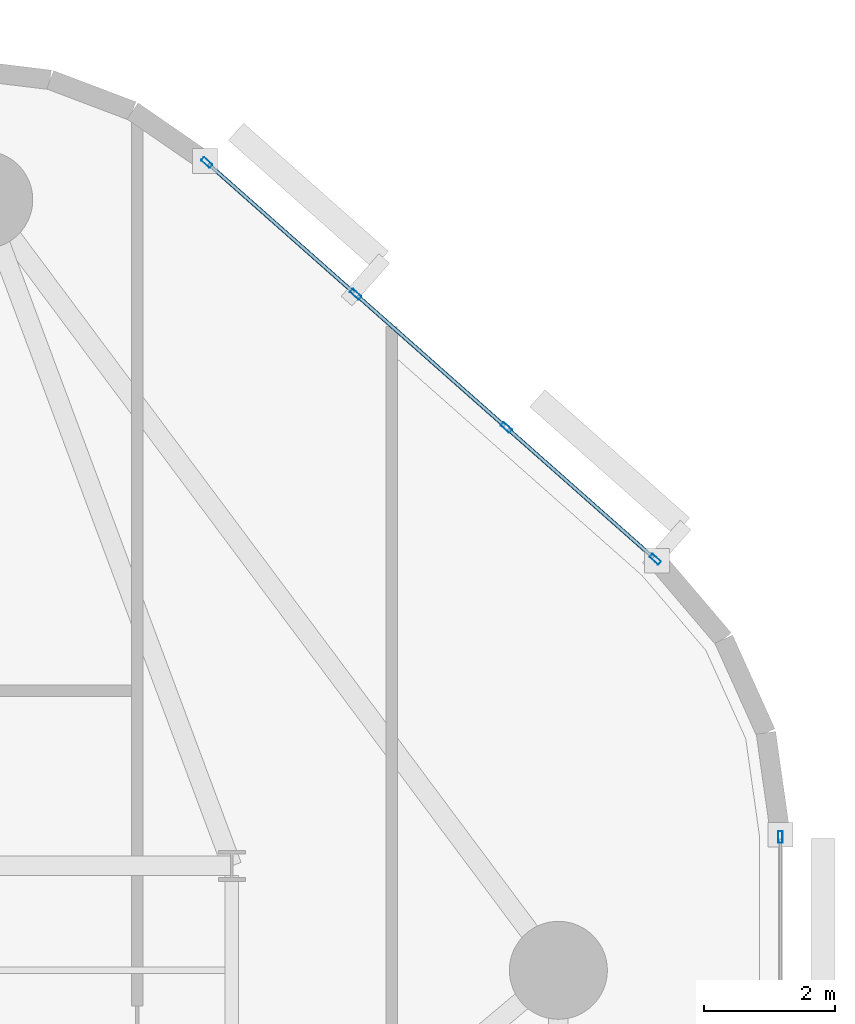
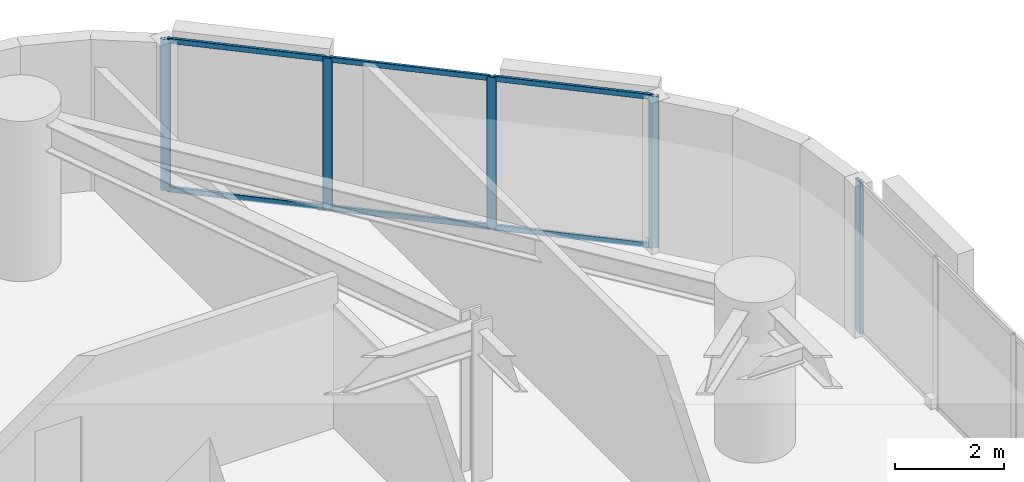
# One storey, part 8 of 15: 11 members, 2 elements without a shape of their own.
"""IFC4 building model written with IfcOpenShell, lengths in metres."""

from ifc_helpers import new_model, si_unit, direction, frame, origin, origin_2d, place, context, subcontext, project, spatial, hollow_rectangle, extrude, material, layer, layer_set, material_profile, profile_set, type_object, element, aggregate, save


model = new_model("IFC4")

# Units and contexts
model_context = context("Model", 3, precision=1e-05, world=origin(), true_north=direction((0.0, 1.0)))
body_context = subcontext(model_context, "Body", "Model", "MODEL_VIEW")
ifc_project = project(units=[si_unit("LENGTHUNIT", "METRE"), si_unit("AREAUNIT", "SQUARE_METRE"), si_unit("VOLUMEUNIT", "CUBIC_METRE"), si_unit("PLANEANGLEUNIT", "RADIAN"), si_unit("MASSUNIT", "GRAM", prefix="KILO")], contexts=[model_context])

# Site, building, storey
site_placement = place(None, origin())
site = spatial("IfcSite", under=ifc_project, at=site_placement, CompositionType="ELEMENT")
building_placement = place(site_placement, origin())
building = spatial("IfcBuilding", under=site, at=building_placement, Name="An Khanh Terracotta Commons", CompositionType="ELEMENT")
storey_placement = place(building_placement, frame((0.0, 0.0, 64.800048828125)))
storey = spatial("IfcBuildingStorey", under=building, at=storey_placement, Name="L17", CompositionType="ELEMENT", Elevation=64.800048828125)

# Curtain wall, member
ifc_material = material(Name="Anodised Aluminium 6063-T6", Category="aluminium")
ifc_layer = layer(ifc_material, 0.199951171875, Name="Anodised Aluminium 6063-T6")
ifc_layer_set = layer_set([ifc_layer], Name="Anodised Aluminium 6063-T6")
curtain_wall_type = type_object("IfcCurtainWallType", Name="CW-SYS-02", PredefinedType="USERDEFINED", material=ifc_layer_set)
curtain_wall_1_placement = place(storey_placement, origin())
curtain_wall_1 = element("IfcCurtainWall", 1, at=curtain_wall_1_placement, inside=storey, type_object=curtain_wall_type, Name="L17 CW-02 Unitised Curtain Wall CW-L17-12", ObjectType="UNITISED CURTAIN WALL", PredefinedType="USERDEFINED")
ifc_material_profile_1 = material_profile(ifc_material, hollow_rectangle(XDim=0.070068359375, YDim=0.179931640625, WallThickness=0.00390625, InnerFilletRadius=0.00390625, OuterFilletRadius=0.008056640625, at=origin_2d()), Name="RHS180x70x4")
ifc_profile_set_1 = profile_set([ifc_material_profile_1], Name="Anodised Aluminium 6063-T6")
member_type_1 = type_object("IfcMemberType", Name="CWM-RHS180x70x4", PredefinedType="MULLION", material=ifc_profile_set_1)
member_1_placement = place(storey_placement, frame((51.60009765625, 34.0419921875, 0.0), z_axis=(0.0, 0.0, 1.0), x_axis=(-1.0, 0.0, 0.0)))
member_1 = element("IfcMember", 2, at=member_1_placement, type_object=member_type_1, Name="CW-02 mullion 8", PredefinedType="MULLION", context=body_context, shape_type="SweptSolid", body=[
    extrude(hollow_rectangle(XDim=0.070068359375, YDim=0.179931640625, WallThickness=0.00390625, InnerFilletRadius=0.00390625, OuterFilletRadius=0.008056640625, at=origin_2d()), origin(), (0.0, 0.0, 1.0), 3.39990234375),
])
aggregate(curtain_wall_1, [member_1])

# Curtain wall, members
curtain_wall_2_placement = place(storey_placement, origin())
curtain_wall_2 = element("IfcCurtainWall", 3, at=curtain_wall_2_placement, inside=storey, type_object=curtain_wall_type, Name="L17 CW-02 Unitised Curtain Wall CW-L17-16", ObjectType="UNITISED CURTAIN WALL", PredefinedType="USERDEFINED")
member_2_placement = place(storey_placement, frame((49.683837890625, 38.295166015625, 0.0), z_axis=(0.0, 0.0, 1.0), x_axis=(-0.662548195415, -0.749019284633, 0.0)))
member_2 = element("IfcMember", 4, at=member_2_placement, type_object=member_type_1, Name="CW-02 mullion 1", PredefinedType="MULLION", context=body_context, shape_type="SweptSolid", body=[
    extrude(hollow_rectangle(XDim=0.070068359375, YDim=0.179931640625, WallThickness=0.00390625, InnerFilletRadius=0.00390625, OuterFilletRadius=0.008056640625, at=origin_2d()), origin(), (0.0, 0.0, 1.0), 3.39990234375),
])
member_3_placement = place(storey_placement, frame((47.403076171875, 40.312744140625, 0.0), z_axis=(0.0, 0.0, 1.0), x_axis=(-0.662548195415, -0.749019284633, 0.0)))
member_3 = element("IfcMember", 5, at=member_3_placement, type_object=member_type_1, Name="CW-02 mullion 2", PredefinedType="MULLION", context=body_context, shape_type="SweptSolid", body=[
    extrude(hollow_rectangle(XDim=0.070068359375, YDim=0.179931640625, WallThickness=0.00390625, InnerFilletRadius=0.00390625, OuterFilletRadius=0.008056640625, at=origin_2d()), origin(), (0.0, 0.0, 1.0), 3.39990234375),
])
member_4_placement = place(storey_placement, frame((45.095947265625, 42.353271484375, 0.0), z_axis=(0.0, 0.0, 1.0), x_axis=(-0.662548195415, -0.749019284633, 0.0)))
member_4 = element("IfcMember", 6, at=member_4_placement, type_object=member_type_1, Name="CW-02 mullion 3", PredefinedType="MULLION", context=body_context, shape_type="SweptSolid", body=[
    extrude(hollow_rectangle(XDim=0.070068359375, YDim=0.179931640625, WallThickness=0.00390625, InnerFilletRadius=0.00390625, OuterFilletRadius=0.008056640625, at=origin_2d()), origin(), (0.0, 0.0, 1.0), 3.39990234375),
])
member_5_placement = place(storey_placement, frame((42.815185546875, 44.370849609375, 0.0), z_axis=(0.0, 0.0, 1.0), x_axis=(-0.662548195415, -0.749019284633, 0.0)))
member_5 = element("IfcMember", 7, at=member_5_placement, type_object=member_type_1, Name="CW-02 mullion 4", PredefinedType="MULLION", context=body_context, shape_type="SweptSolid", body=[
    extrude(hollow_rectangle(XDim=0.070068359375, YDim=0.179931640625, WallThickness=0.00390625, InnerFilletRadius=0.00390625, OuterFilletRadius=0.008056640625, at=origin_2d()), origin(), (0.0, 0.0, 1.0), 3.39990234375),
])
ifc_material_profile_2 = material_profile(ifc_material, hollow_rectangle(XDim=0.06005859375, YDim=0.1201171875, WallThickness=0.003662109375, InnerFilletRadius=0.003662109375, OuterFilletRadius=0.007080078125, at=origin_2d()), Name="RHS120x60x3.6")
ifc_profile_set_2 = profile_set([ifc_material_profile_2], Name="Anodised Aluminium 6063-T6")
member_type_2 = type_object("IfcMemberType", Name="CWT-RHS120x60x3.6", PredefinedType="USERDEFINED", material=ifc_profile_set_2)
member_6_placement = place(storey_placement, frame((49.657470703125, 38.318359375, 0.030029296875), z_axis=(-0.74899186341, 0.662579194168, 0.0), x_axis=(-0.662579194168, -0.74899186341, 0.0)))
member_6 = element("IfcMember", 8, at=member_6_placement, type_object=member_type_2, Name="CW-02 transom 1.1", ObjectType="TRANSOM", PredefinedType="USERDEFINED", context=body_context, shape_type="SweptSolid", body=[
    extrude(hollow_rectangle(XDim=0.06005859375, YDim=0.1201171875, WallThickness=0.003662109375, InnerFilletRadius=0.003662109375, OuterFilletRadius=0.007080078125, at=origin_2d()), origin(), (0.0, 0.0, 1.0), 2.97509765625),
])
member_7_placement = place(storey_placement, frame((49.657470703125, 38.318359375, 3.369873046875), z_axis=(-0.74899186341, 0.662579194168, 0.0), x_axis=(-0.662579194168, -0.74899186341, 0.0)))
member_7 = element("IfcMember", 9, at=member_7_placement, type_object=member_type_2, Name="CW-02 transom 1.2", ObjectType="TRANSOM", PredefinedType="USERDEFINED", context=body_context, shape_type="SweptSolid", body=[
    extrude(hollow_rectangle(XDim=0.06005859375, YDim=0.1201171875, WallThickness=0.003662109375, InnerFilletRadius=0.003662109375, OuterFilletRadius=0.007080078125, at=origin_2d()), origin(), (0.0, 0.0, 1.0), 2.97509765625),
])
member_8_placement = place(storey_placement, frame((47.376708984375, 40.3359375, 0.030029296875), z_axis=(-0.749018237701, 0.662549378984, 0.0), x_axis=(-0.662549378984, -0.749018237701, 0.0)))
member_8 = element("IfcMember", 10, at=member_8_placement, type_object=member_type_2, Name="CW-02 transom 2.1", ObjectType="TRANSOM", PredefinedType="USERDEFINED", context=body_context, shape_type="SweptSolid", body=[
    extrude(hollow_rectangle(XDim=0.06005859375, YDim=0.1201171875, WallThickness=0.003662109375, InnerFilletRadius=0.003662109375, OuterFilletRadius=0.007080078125, at=origin_2d()), origin(), (0.0, 0.0, 1.0), 3.009765625),
])
member_9_placement = place(storey_placement, frame((47.376708984375, 40.3359375, 3.369873046875), z_axis=(-0.749018237701, 0.662549378984, 0.0), x_axis=(-0.662549378984, -0.749018237701, 0.0)))
member_9 = element("IfcMember", 11, at=member_9_placement, type_object=member_type_2, Name="CW-02 transom 2.2", ObjectType="TRANSOM", PredefinedType="USERDEFINED", context=body_context, shape_type="SweptSolid", body=[
    extrude(hollow_rectangle(XDim=0.06005859375, YDim=0.1201171875, WallThickness=0.003662109375, InnerFilletRadius=0.003662109375, OuterFilletRadius=0.007080078125, at=origin_2d()), origin(), (0.0, 0.0, 1.0), 3.009765625),
])
member_10_placement = place(storey_placement, frame((45.06982421875, 42.37646484375, 0.030029296875), z_axis=(-0.74899186341, 0.662579194168, 0.0), x_axis=(-0.662579194168, -0.74899186341, 0.0)))
member_10 = element("IfcMember", 12, at=member_10_placement, type_object=member_type_2, Name="CW-02 transom 3.1", ObjectType="TRANSOM", PredefinedType="USERDEFINED", context=body_context, shape_type="SweptSolid", body=[
    extrude(hollow_rectangle(XDim=0.06005859375, YDim=0.1201171875, WallThickness=0.003662109375, InnerFilletRadius=0.003662109375, OuterFilletRadius=0.007080078125, at=origin_2d()), origin(), (0.0, 0.0, 1.0), 2.97509765625),
])
member_11_placement = place(storey_placement, frame((45.06982421875, 42.37646484375, 3.369873046875), z_axis=(-0.74899186341, 0.662579194168, 0.0), x_axis=(-0.662579194168, -0.74899186341, 0.0)))
member_11 = element("IfcMember", 13, at=member_11_placement, type_object=member_type_2, Name="CW-02 transom 3.2", ObjectType="TRANSOM", PredefinedType="USERDEFINED", context=body_context, shape_type="SweptSolid", body=[
    extrude(hollow_rectangle(XDim=0.06005859375, YDim=0.1201171875, WallThickness=0.003662109375, InnerFilletRadius=0.003662109375, OuterFilletRadius=0.007080078125, at=origin_2d()), origin(), (0.0, 0.0, 1.0), 2.97509765625),
])
aggregate(curtain_wall_2, [member_2, member_3, member_4, member_5, member_6, member_7, member_8, member_9, member_10, member_11])

save(model, "model.ifc")
